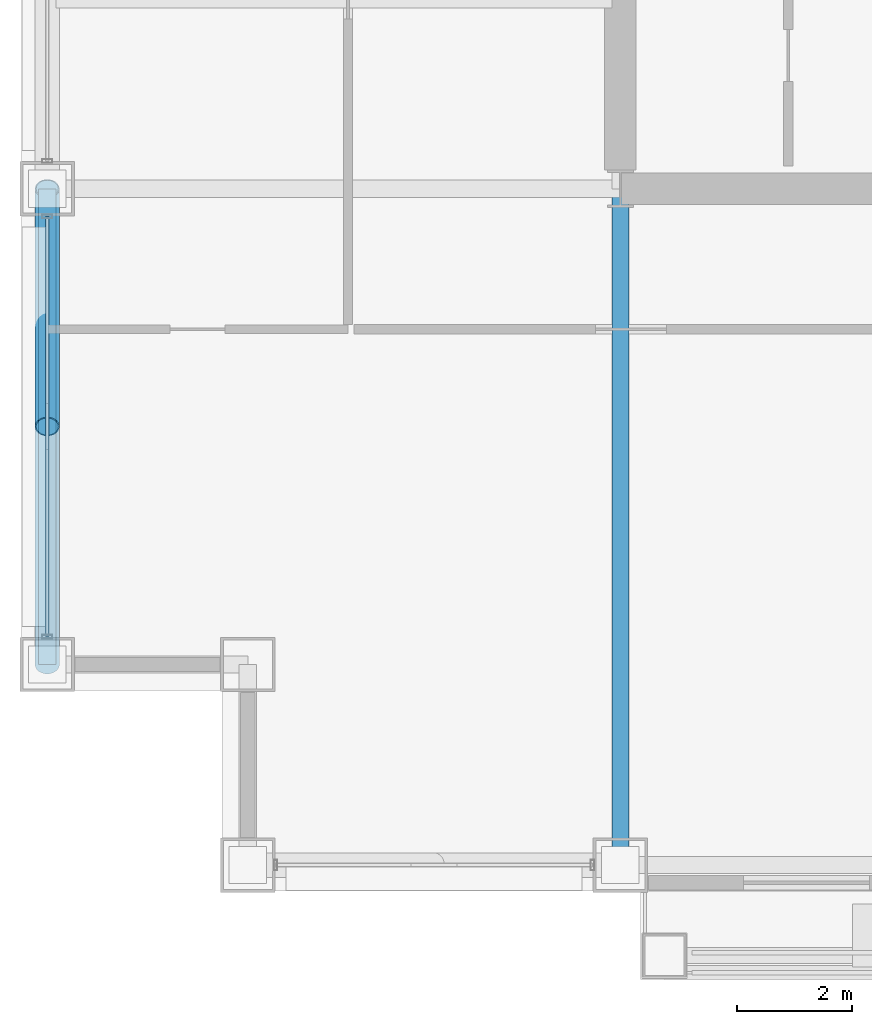
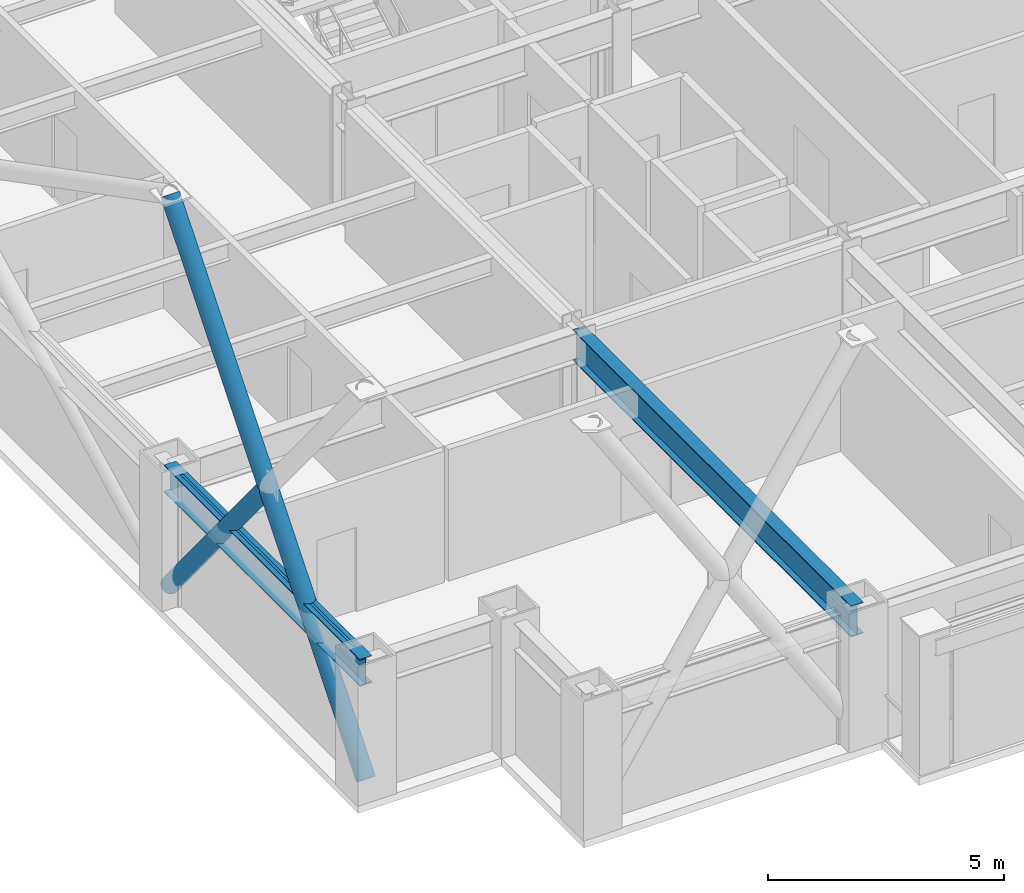
# One storey, part 5 of 34: 3 members, 2 beams, 1 element without a shape of its own.
"""IFC4 building model written with IfcOpenShell, lengths in metres."""

from ifc_helpers import new_model, si_unit, direction, frame, origin, origin_2d, place, context, subcontext, project, spatial, hollow_rectangle, hollow_circle, i_section, extrude, material, layer, layer_set, material_profile, profile_set, type_object, element, aggregate, save


model = new_model("IFC4")

# Units and contexts
model_context = context("Model", 3, precision=1e-05, world=origin(), true_north=direction((0.0, 1.0)))
body_context = subcontext(model_context, "Body", "Model", "MODEL_VIEW")
ifc_project = project(units=[si_unit("LENGTHUNIT", "METRE"), si_unit("AREAUNIT", "SQUARE_METRE"), si_unit("VOLUMEUNIT", "CUBIC_METRE"), si_unit("PLANEANGLEUNIT", "RADIAN"), si_unit("MASSUNIT", "GRAM", prefix="KILO")], contexts=[model_context])

# Site, building, storey
site_placement = place(None, origin())
site = spatial("IfcSite", under=ifc_project, at=site_placement, CompositionType="ELEMENT")
building_placement = place(site_placement, origin())
building = spatial("IfcBuilding", under=site, at=building_placement, Name="Brelmoor Portico Tower", CompositionType="ELEMENT")
storey_placement = place(building_placement, frame((0.0, 0.0, 45.60009765625)))
storey = spatial("IfcBuildingStorey", under=building, at=storey_placement, Name="L11", CompositionType="ELEMENT", Elevation=45.60009765625)

# Beams
ifc_material_1 = material(Name="Steel Q355B", Category="steel")
ifc_material_profile_1 = material_profile(ifc_material_1, i_section(OverallWidth=0.300048828125, OverallDepth=0.800048828125, WebThickness=0.013916015625, FlangeThickness=0.02587890625, at=origin_2d()), Name="HN 800x300x14x26")
ifc_profile_set_1 = profile_set([ifc_material_profile_1], Name="Steel Q355B")
beam_type_1 = type_object("IfcBeamType", Name="BM-PG-800", PredefinedType="BEAM", material=ifc_profile_set_1)
beam_1_placement = place(storey_placement, frame((-14.550048828125, -21.550048828125, 3.0), z_axis=(0.0, 1.0, 0.0), x_axis=(-1.0, 0.0, 0.0)))
element("IfcBeam", 1, at=beam_1_placement, inside=storey, type_object=beam_type_1, Name="L11 Primary Floor Girder PG-03", PredefinedType="BEAM", context=body_context, shape_type="SweptSolid", body=[
    extrude(i_section(OverallWidth=0.300048828125, OverallDepth=0.800048828125, WebThickness=0.013916015625, FlangeThickness=0.02587890625, at=origin_2d()), origin(), (0.0, 0.0, 1.0), 11.800048828125),
])
ifc_material_profile_2 = material_profile(ifc_material_1, i_section(OverallWidth=0.300048828125, OverallDepth=0.699951171875, WebThickness=0.012939453125, FlangeThickness=0.02392578125, at=origin_2d()), Name="HN 700x300x13x24")
ifc_profile_set_2 = profile_set([ifc_material_profile_2], Name="Steel Q355B")
beam_type_2 = type_object("IfcBeamType", Name="BM-SP-700", PredefinedType="SPANDREL", material=ifc_profile_set_2)
beam_2_placement = place(storey_placement, frame((-24.550048828125, -18.050048828125, 3.0498046875), z_axis=(0.0, 1.0, 0.0), x_axis=(-1.0, 0.0, 0.0)))
element("IfcBeam", 2, at=beam_2_placement, inside=storey, type_object=beam_type_2, Name="L11 Perimeter Spandrel Beam SP-15", PredefinedType="SPANDREL", context=body_context, shape_type="SweptSolid", body=[
    extrude(i_section(OverallWidth=0.300048828125, OverallDepth=0.699951171875, WebThickness=0.012939453125, FlangeThickness=0.02392578125, at=origin_2d()), origin(), (0.0, 0.0, 1.0), 8.300048828125),
])

# Members
ifc_material_profile_3 = material_profile(ifc_material_1, hollow_circle(Radius=0.212890625, WallThickness=0.02001953125, at=origin_2d()), Name="CHS 426x20")
ifc_profile_set_3 = profile_set([ifc_material_profile_3], Name="Steel Q355B")
member_type_1 = type_object("IfcMemberType", Name="MB-BELT-DIAG1", PredefinedType="BRACE", material=ifc_profile_set_3)
member_1_placement = place(storey_placement, frame((-24.550048828125, -18.050048828125, 0.25), z_axis=(0.0, 0.634910260742, 0.772585892186), x_axis=(-1.0, 0.0, 0.0)))
element("IfcMember", 3, at=member_1_placement, inside=storey, type_object=member_type_1, Name="L11 Continuous Mega-X Brace 021A", PredefinedType="BRACE", context=body_context, shape_type="SweptSolid", body=[
    extrude(hollow_circle(Radius=0.212890625, WallThickness=0.02001953125, at=origin_2d()), origin(), (0.0, 0.0, 1.0), 13.07275390625),
])
member_2_placement = place(storey_placement, frame((-24.550048828125, -9.75, 0.25), z_axis=(0.0, -0.634908274247, 0.772587524681), x_axis=(1.0, 0.0, 0.0)))
element("IfcMember", 4, at=member_2_placement, inside=storey, type_object=member_type_1, Name="L11 Split Mega-X Brace 021B1", PredefinedType="BRACE", context=body_context, shape_type="SweptSolid", body=[
    extrude(hollow_circle(Radius=0.212890625, WallThickness=0.02001953125, at=origin_2d()), origin(), (0.0, 0.0, 1.0), 6.5361328125),
])

# Curtain wall, member
ifc_material_2 = material(Name="Anodised Aluminium Alloy 6063-T6", Category="aluminium")
ifc_layer = layer(ifc_material_2, 0.179931640625)
ifc_layer_set = layer_set([ifc_layer], Name="Anodised Aluminium Alloy 6063-T6")
curtain_wall_type = type_object("IfcCurtainWallType", Name="CW-TOWER-Z1-XB", PredefinedType="NOTDEFINED", material=ifc_layer_set)
curtain_wall_placement = place(storey_placement, origin())
curtain_wall = element("IfcCurtainWall", 5, at=curtain_wall_placement, inside=storey, type_object=curtain_wall_type, Name="L11 Curtain Wall CW-L11-03-1", PredefinedType="NOTDEFINED")
ifc_material_profile_4 = material_profile(ifc_material_2, hollow_rectangle(XDim=0.06494140625, YDim=0.139892578125, WallThickness=0.00390625, at=origin_2d()), Name="ALU TRANSOM 65x140")
ifc_profile_set_4 = profile_set([ifc_material_profile_4], Name="Anodised Aluminium Alloy 6063-T6")
member_type_2 = type_object("IfcMemberType", Name="MB-CW-TRAN-140", PredefinedType="USERDEFINED", material=ifc_profile_set_4)
member_3_placement = place(storey_placement, frame((-24.550048828125, -17.56494140625, 3.329833984375), z_axis=(0.0, 1.0, 0.0), x_axis=(-1.0, 0.0, 0.0)))
member_3 = element("IfcMember", 6, at=member_3_placement, type_object=member_type_2, Name="CW-L11-03-1 Transom 1-00", ObjectType="TRANSOM", PredefinedType="USERDEFINED", context=body_context, shape_type="SweptSolid", body=[
    extrude(hollow_rectangle(XDim=0.06494140625, YDim=0.139892578125, WallThickness=0.00390625, at=origin_2d()), origin(), (0.0, 0.0, 1.0), 7.329833984375),
])
aggregate(curtain_wall, [member_3])

save(model, "model.ifc")
